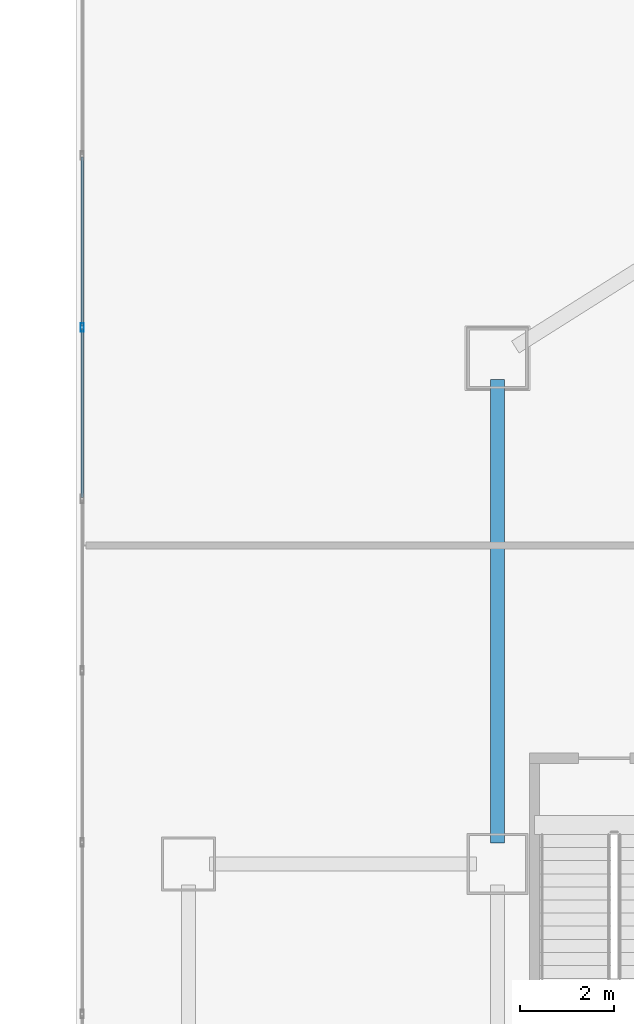
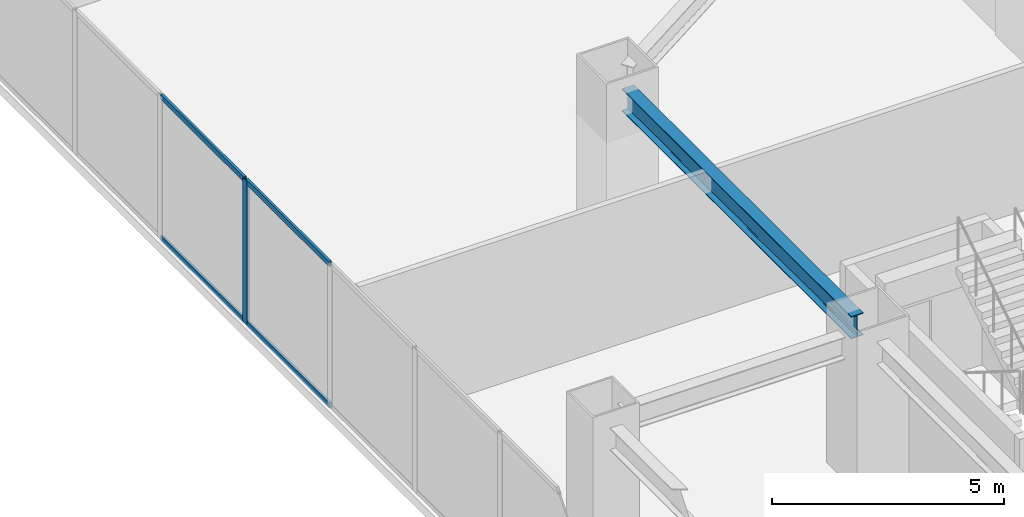
# One storey, part 8 of 32: 5 members, 1 beam, 1 element without a shape of its own.
"""IFC4 building model written with IfcOpenShell, lengths in metres."""

from ifc_helpers import new_model, si_unit, direction, frame, origin, origin_2d, place, context, subcontext, project, spatial, hollow_rectangle, i_section, extrude, material, layer, layer_set, material_profile, profile_set, type_object, element, aggregate, save


model = new_model("IFC4")

# Units and contexts
model_context = context("Model", 3, precision=1e-05, world=origin(), true_north=direction((0.0, 1.0)))
body_context = subcontext(model_context, "Body", "Model", "MODEL_VIEW")
ifc_project = project(units=[si_unit("LENGTHUNIT", "METRE"), si_unit("AREAUNIT", "SQUARE_METRE"), si_unit("VOLUMEUNIT", "CUBIC_METRE"), si_unit("PLANEANGLEUNIT", "RADIAN"), si_unit("MASSUNIT", "GRAM", prefix="KILO")], contexts=[model_context])

# Site, building, storey
site_placement = place(None, origin())
site = spatial("IfcSite", under=ifc_project, at=site_placement, CompositionType="ELEMENT")
building_placement = place(site_placement, origin())
building = spatial("IfcBuilding", under=site, at=building_placement, Name="Haolan Belvedere Tower", CompositionType="ELEMENT")
storey_placement = place(building_placement, frame((0.0, 0.0, 15.60009765625)))
storey = spatial("IfcBuildingStorey", under=building, at=storey_placement, Name="L03", CompositionType="ELEMENT", Elevation=15.60009765625)

# Beam
ifc_material_1 = material(Name="Steel Q355B", Category="steel")
ifc_material_profile_1 = material_profile(ifc_material_1, i_section(OverallWidth=0.300048828125, OverallDepth=0.587890625, WebThickness=0.011962890625, FlangeThickness=0.02001953125, FilletRadius=0.028076171875, at=origin_2d()), Name="Steel Q355B")
ifc_profile_set_1 = profile_set([ifc_material_profile_1], Name="Steel Q355B")
beam_type = type_object("IfcBeamType", Name="BM-HM588x300x12x20", PredefinedType="SPANDREL", material=ifc_profile_set_1)
beam_placement = place(storey_placement, frame((12.60009765625, 28.050048828125, 3.48583984375), z_axis=(0.0, 1.0, 0.0), x_axis=(-1.0, 0.0, 0.0)))
element("IfcBeam", 1, at=beam_placement, inside=storey, type_object=beam_type, Name="L03 spandrel girder MC-T2-MW-MC-T2-NW", PredefinedType="SPANDREL", context=body_context, shape_type="SweptSolid", body=[
    extrude(i_section(OverallWidth=0.300048828125, OverallDepth=0.587890625, WebThickness=0.011962890625, FlangeThickness=0.02001953125, FilletRadius=0.028076171875, at=origin_2d()), origin(), (0.0, 0.0, 1.0), 9.89990234375),
])

# Curtain wall, members
ifc_material_2 = material(Name="Anodised champagne-silver aluminium 6063-T6 and Low-E glass", Category="aluminium")
ifc_layer = layer(ifc_material_2, 0.179931640625, Name="Anodised champagne-silver aluminium 6063-T6 and Low-E glass")
ifc_layer_set = layer_set([ifc_layer], Name="Anodised champagne-silver aluminium 6063-T6 and Low-E glass")
curtain_wall_type = type_object("IfcCurtainWallType", Name="CW-SYS-01", PredefinedType="NOTDEFINED", material=ifc_layer_set)
curtain_wall_placement = place(storey_placement, origin())
curtain_wall = element("IfcCurtainWall", 2, at=curtain_wall_placement, inside=storey, type_object=curtain_wall_type, Name="L03 CW-SYS-01 ribbon curtain wall 4.1", PredefinedType="NOTDEFINED")
ifc_material_3 = material(Name="Anodised aluminium 6063-T6", Category="aluminium")
ifc_material_profile_2 = material_profile(ifc_material_3, hollow_rectangle(XDim=0.06494140625, YDim=0.179931640625, WallThickness=0.00390625, at=origin_2d()), Name="Anodised aluminium 6063-T6")
ifc_profile_set_2 = profile_set([ifc_material_profile_2], Name="Anodised aluminium 6063-T6")
member_type_1 = type_object("IfcMemberType", Name="CW-SYS-01-MUL", PredefinedType="MULLION", material=ifc_profile_set_2)
member_1_placement = place(storey_placement, frame((3.72998046875, 39.062255859375, 0.0), z_axis=(0.0, 0.0, 1.0), x_axis=(1.0, 0.0, 0.0)))
member_1 = element("IfcMember", 3, at=member_1_placement, type_object=member_type_1, Name="CW-01 mullion 5", PredefinedType="MULLION", context=body_context, shape_type="SweptSolid", body=[
    extrude(hollow_rectangle(XDim=0.06494140625, YDim=0.179931640625, WallThickness=0.00390625, at=origin_2d()), origin(), (0.0, 0.0, 1.0), 3.77978515625),
])
ifc_material_profile_3 = material_profile(ifc_material_3, hollow_rectangle(XDim=0.06005859375, YDim=0.139892578125, WallThickness=0.00390625, at=origin_2d()), Name="Anodised aluminium 6063-T6")
ifc_profile_set_3 = profile_set([ifc_material_profile_3], Name="Anodised aluminium 6063-T6")
member_type_2 = type_object("IfcMemberType", Name="CW-SYS-01-TRN", PredefinedType="USERDEFINED", material=ifc_profile_set_3)
member_2_placement = place(storey_placement, frame((3.72998046875, 42.69677734375, 0.02978515625), z_axis=(0.0, -1.0, 0.0), x_axis=(1.0, 0.0, 0.0)))
member_2 = element("IfcMember", 4, at=member_2_placement, type_object=member_type_2, Name="CW-01 transom 4.1", ObjectType="TRANSOM", PredefinedType="USERDEFINED", context=body_context, shape_type="SweptSolid", body=[
    extrude(hollow_rectangle(XDim=0.06005859375, YDim=0.139892578125, WallThickness=0.00390625, at=origin_2d()), origin(), (0.0, 0.0, 1.0), 3.60205078125),
])
member_3_placement = place(storey_placement, frame((3.72998046875, 42.69677734375, 3.75), z_axis=(0.0, -1.0, 0.0), x_axis=(1.0, 0.0, 0.0)))
member_3 = element("IfcMember", 5, at=member_3_placement, type_object=member_type_2, Name="CW-01 transom 4.2", ObjectType="TRANSOM", PredefinedType="USERDEFINED", context=body_context, shape_type="SweptSolid", body=[
    extrude(hollow_rectangle(XDim=0.06005859375, YDim=0.139892578125, WallThickness=0.00390625, at=origin_2d()), origin(), (0.0, 0.0, 1.0), 3.60205078125),
])
member_4_placement = place(storey_placement, frame((3.72998046875, 39.02978515625, 0.02978515625), z_axis=(0.0, -1.0, 0.0), x_axis=(1.0, 0.0, 0.0)))
member_4 = element("IfcMember", 6, at=member_4_placement, type_object=member_type_2, Name="CW-01 transom 5.1", ObjectType="TRANSOM", PredefinedType="USERDEFINED", context=body_context, shape_type="SweptSolid", body=[
    extrude(hollow_rectangle(XDim=0.06005859375, YDim=0.139892578125, WallThickness=0.00390625, at=origin_2d()), origin(), (0.0, 0.0, 1.0), 3.601806640625),
])
member_5_placement = place(storey_placement, frame((3.72998046875, 39.02978515625, 3.75), z_axis=(0.0, -1.0, 0.0), x_axis=(1.0, 0.0, 0.0)))
member_5 = element("IfcMember", 7, at=member_5_placement, type_object=member_type_2, Name="CW-01 transom 5.2", ObjectType="TRANSOM", PredefinedType="USERDEFINED", context=body_context, shape_type="SweptSolid", body=[
    extrude(hollow_rectangle(XDim=0.06005859375, YDim=0.139892578125, WallThickness=0.00390625, at=origin_2d()), origin(), (0.0, 0.0, 1.0), 3.601806640625),
])
aggregate(curtain_wall, [member_1, member_2, member_3, member_4, member_5])

save(model, "model.ifc")
